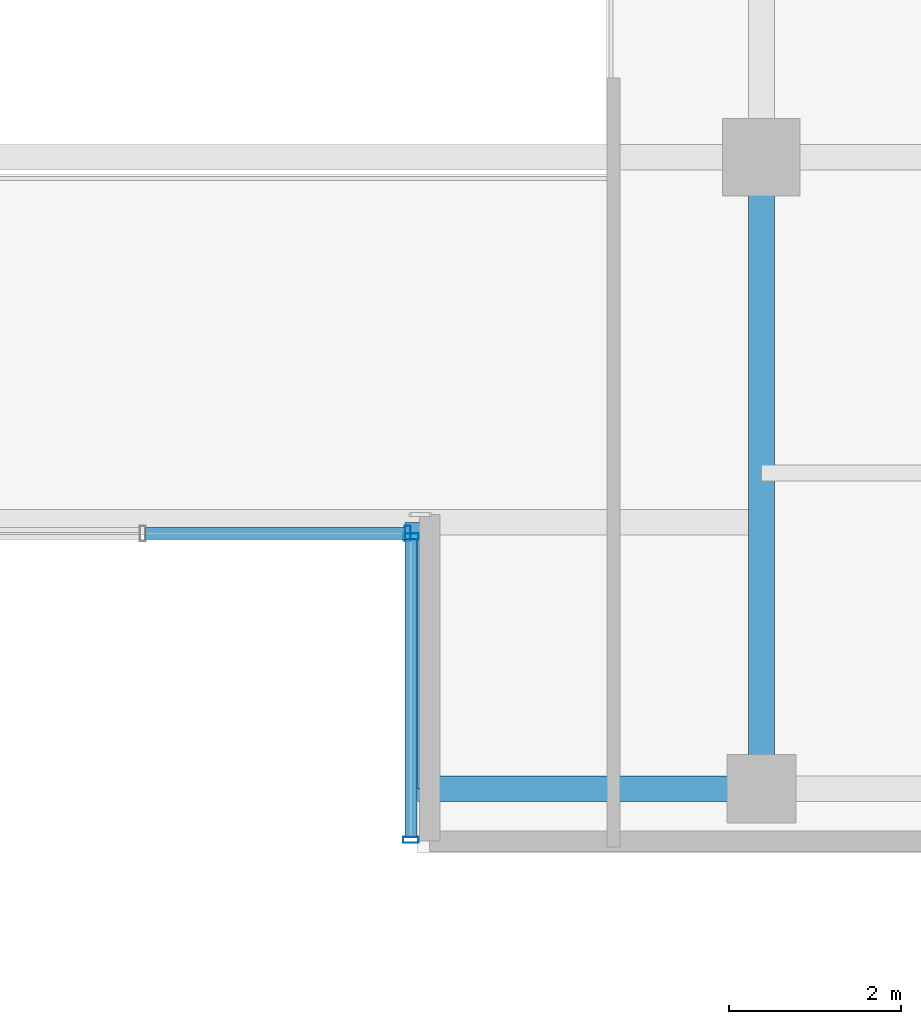
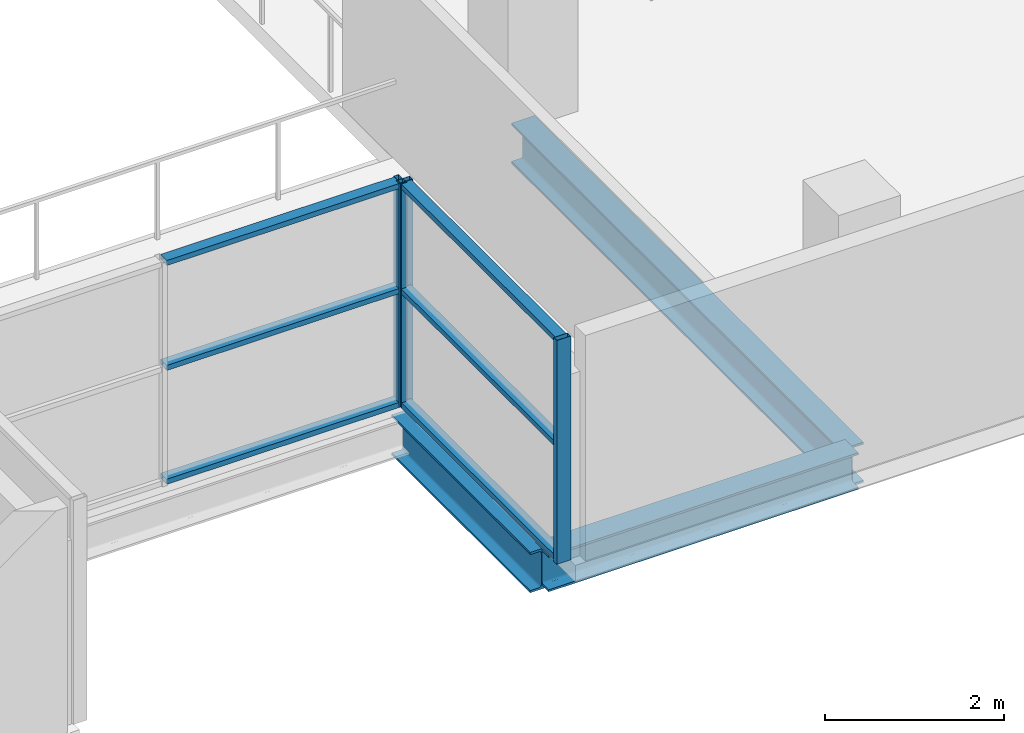
# One storey, part 10 of 27: 9 members, 3 beams, 2 elements without a shape of their own.
"""IFC4 building model written with IfcOpenShell, lengths in metres."""

from ifc_helpers import new_model, si_unit, direction, frame, origin, origin_2d, place, context, subcontext, project, spatial, hollow_rectangle, i_section, extrude, source, transform, mapped, material, layer, layer_set, material_profile, profile_set, type_object, element, aggregate, save


model = new_model("IFC4")

# Units and contexts
model_context = context("Model", 3, precision=1e-05, world=origin(), true_north=direction((0.0, 1.0)))
body_context = subcontext(model_context, "Body", "Model", "MODEL_VIEW")
ifc_project = project(units=[si_unit("LENGTHUNIT", "METRE"), si_unit("AREAUNIT", "SQUARE_METRE"), si_unit("VOLUMEUNIT", "CUBIC_METRE"), si_unit("PLANEANGLEUNIT", "RADIAN"), si_unit("MASSUNIT", "GRAM", prefix="KILO")], contexts=[model_context])

# Site, building, storey
site_placement = place(None, origin())
site = spatial("IfcSite", under=ifc_project, at=site_placement, CompositionType="ELEMENT")
building_placement = place(site_placement, origin())
building = spatial("IfcBuilding", under=site, at=building_placement, Name="Zarnakvel Exchange Tower", CompositionType="ELEMENT")
storey_placement = place(building_placement, frame((0.0, 0.0, 96.699951171875)))
storey = spatial("IfcBuildingStorey", under=building, at=storey_placement, Name="L26", CompositionType="ELEMENT", Elevation=96.699951171875)

# Beams
ifc_material_1 = material(Name="Steel S355", Category="steel")
ifc_material_profile_1 = material_profile(ifc_material_1, i_section(OverallWidth=0.300048828125, OverallDepth=0.550048828125, WebThickness=0.014892578125, FlangeThickness=0.029052734375, FilletRadius=0.027099609375, at=origin_2d()))
ifc_profile_set_1 = profile_set([ifc_material_profile_1], Name="Steel S355")
beam_type_1 = type_object("IfcBeamType", Name="G-05", PredefinedType="BEAM", material=ifc_profile_set_1)
beam_1_placement = place(storey_placement, frame((3.199951171875, -16.949951171875, -0.5), z_axis=(0.0, 1.0, 0.0), x_axis=(-1.0, 0.0, 0.0)))
element("IfcBeam", 1, at=beam_1_placement, inside=storey, type_object=beam_type_1, Name="L26 South Slot East Cheek Beam", PredefinedType="BEAM", context=body_context, shape_type="SweptSolid", body=[
    extrude(i_section(OverallWidth=0.300048828125, OverallDepth=0.550048828125, WebThickness=0.014892578125, FlangeThickness=0.029052734375, FilletRadius=0.027099609375, at=origin_2d()), origin(), (0.0, 0.0, 1.0), 3.099853515625),
])
beam_2_placement = place(storey_placement, frame((7.199951171875, -16.949951171875, -0.5), z_axis=(0.0, 1.0, 0.0), x_axis=(-1.0, 0.0, 0.0)))
element("IfcBeam", 2, at=beam_2_placement, inside=storey, type_object=beam_type_1, Name="L26 Tower N-S Frame Beam", PredefinedType="BEAM", context=body_context, shape_type="SweptSolid", body=[
    extrude(i_section(OverallWidth=0.300048828125, OverallDepth=0.550048828125, WebThickness=0.014892578125, FlangeThickness=0.029052734375, FilletRadius=0.027099609375, at=origin_2d()), origin(), (0.0, 0.0, 1.0), 7.349853515625),
])
ifc_material_profile_2 = material_profile(ifc_material_1, i_section(OverallWidth=0.300048828125, OverallDepth=0.5, WebThickness=0.014404296875, FlangeThickness=0.028076171875, FilletRadius=0.027099609375, at=origin_2d()))
ifc_profile_set_2 = profile_set([ifc_material_profile_2], Name="Steel S355")
beam_type_2 = type_object("IfcBeamType", Name="SP-02", PredefinedType="SPANDREL", material=ifc_profile_set_2)
beam_3_placement = place(storey_placement, frame((3.199951171875, -16.949951171875, -0.474853515625), z_axis=(1.0, 0.0, 0.0), x_axis=(0.0, 1.0, 0.0)))
element("IfcBeam", 3, at=beam_3_placement, inside=storey, type_object=beam_type_2, Name="L26 South Slot East Jamb Spandrel", PredefinedType="SPANDREL", context=body_context, shape_type="SweptSolid", body=[
    extrude(i_section(OverallWidth=0.300048828125, OverallDepth=0.5, WebThickness=0.014404296875, FlangeThickness=0.028076171875, FilletRadius=0.027099609375, at=origin_2d()), origin(), (0.0, 0.0, 1.0), 4.0),
])

# Curtain wall, members
ifc_material_2 = material(Name="Architectural Bronze Anodised Aluminium", Category="aluminium")
ifc_layer = layer(ifc_material_2, 0.179931640625)
ifc_layer_set = layer_set([ifc_layer], Name="Architectural Bronze Anodised Aluminium")
curtain_wall_type = type_object("IfcCurtainWallType", Name="CW-05", PredefinedType="NOTDEFINED", material=ifc_layer_set)
curtain_wall_1_placement = place(storey_placement, origin())
curtain_wall_1 = element("IfcCurtainWall", 4, at=curtain_wall_1_placement, inside=storey, type_object=curtain_wall_type, Name="L26 Curtain Wall CW-L26-SLE (CW-05)", PredefinedType="NOTDEFINED")
ifc_material_profile_3 = material_profile(ifc_material_2, hollow_rectangle(XDim=0.139892578125, YDim=0.070068359375, WallThickness=0.00390625, at=origin_2d()))
ifc_profile_set_3 = profile_set([ifc_material_profile_3], Name="Architectural Bronze Anodised Aluminium")
member_type_1 = type_object("IfcMemberType", Name="CWT-05", PredefinedType="USERDEFINED", material=ifc_profile_set_3)
shared_shape_1 = source(origin(), body_context, "Body", "SweptSolid", [
    extrude(hollow_rectangle(XDim=0.139892578125, YDim=0.070068359375, WallThickness=0.00390625, at=origin_2d()), origin(), (0.0, 0.0, 1.0), 3.4599609375),
])
member_1_placement = place(storey_placement, frame((3.1201171875, -14.050048828125, 0.03515625), z_axis=(0.0, -1.0, 0.0), x_axis=(1.0, 0.0, 0.0)))
member_1 = element("IfcMember", 5, at=member_1_placement, type_object=member_type_1, Name="CW-05 transom 1.1", ObjectType="TRANSOM", PredefinedType="USERDEFINED", context=body_context, shape_type="MappedRepresentation", body=[
    mapped(shared_shape_1, transform((0.0, 0.0, 0.0), x_axis=(1.0, 0.0, 0.0), y_axis=(0.0, 1.0, 0.0), z_axis=(0.0, 0.0, 1.0), scale=1.0)),
])
member_2_placement = place(storey_placement, frame((3.1201171875, -14.050048828125, 1.588623046875), z_axis=(0.0, -1.0, 0.0), x_axis=(1.0, 0.0, 0.0)))
member_2 = element("IfcMember", 6, at=member_2_placement, type_object=member_type_1, Name="CW-05 transom 1.2", ObjectType="TRANSOM", PredefinedType="USERDEFINED", context=body_context, shape_type="MappedRepresentation", body=[
    mapped(shared_shape_1, transform((0.0, 0.0, 0.0), x_axis=(1.0, 0.0, 0.0), y_axis=(0.0, 1.0, 0.0), z_axis=(0.0, 0.0, 1.0), scale=1.0)),
])
member_3_placement = place(storey_placement, frame((3.1201171875, -14.050048828125, 3.02001953125), z_axis=(0.0, -1.0, 0.0), x_axis=(1.0, 0.0, 0.0)))
member_3 = element("IfcMember", 7, at=member_3_placement, type_object=member_type_1, Name="CW-05 transom 1.3", ObjectType="TRANSOM", PredefinedType="USERDEFINED", context=body_context, shape_type="MappedRepresentation", body=[
    mapped(shared_shape_1, transform((0.0, 0.0, 0.0), x_axis=(1.0, 0.0, 0.0), y_axis=(0.0, 1.0, 0.0), z_axis=(0.0, 0.0, 1.0), scale=1.0)),
])

curtain_wall_2_placement = place(storey_placement, origin())
curtain_wall_2 = element("IfcCurtainWall", 8, at=curtain_wall_2_placement, inside=storey, type_object=curtain_wall_type, Name="L26 Curtain Wall CW-L26-SLB (CW-05)", PredefinedType="NOTDEFINED")
shared_shape_2 = source(origin(), body_context, "Body", "SweptSolid", [
    extrude(hollow_rectangle(XDim=0.139892578125, YDim=0.070068359375, WallThickness=0.00390625, at=origin_2d()), origin(), (0.0, 0.0, 1.0), 3.01513671875),
])
member_4_placement = place(storey_placement, frame((0.034912109375, -13.97998046875, 0.03515625), z_axis=(1.0, 0.0, 0.0), x_axis=(0.0, 1.0, 0.0)))
member_4 = element("IfcMember", 9, at=member_4_placement, type_object=member_type_1, Name="CW-05 transom 2.1", ObjectType="TRANSOM", PredefinedType="USERDEFINED", context=body_context, shape_type="MappedRepresentation", body=[
    mapped(shared_shape_2, transform((0.0, 0.0, 0.0), x_axis=(1.0, 0.0, 0.0), y_axis=(0.0, 1.0, 0.0), z_axis=(0.0, 0.0, 1.0), scale=1.0)),
])
member_5_placement = place(storey_placement, frame((0.034912109375, -13.97998046875, 1.588623046875), z_axis=(1.0, 0.0, 0.0), x_axis=(0.0, 1.0, 0.0)))
member_5 = element("IfcMember", 10, at=member_5_placement, type_object=member_type_1, Name="CW-05 transom 2.2", ObjectType="TRANSOM", PredefinedType="USERDEFINED", context=body_context, shape_type="MappedRepresentation", body=[
    mapped(shared_shape_2, transform((0.0, 0.0, 0.0), x_axis=(1.0, 0.0, 0.0), y_axis=(0.0, 1.0, 0.0), z_axis=(0.0, 0.0, 1.0), scale=1.0)),
])
member_6_placement = place(storey_placement, frame((0.034912109375, -13.97998046875, 3.02001953125), z_axis=(1.0, 0.0, 0.0), x_axis=(0.0, 1.0, 0.0)))
member_6 = element("IfcMember", 11, at=member_6_placement, type_object=member_type_1, Name="CW-05 transom 2.3", ObjectType="TRANSOM", PredefinedType="USERDEFINED", context=body_context, shape_type="MappedRepresentation", body=[
    mapped(shared_shape_2, transform((0.0, 0.0, 0.0), x_axis=(1.0, 0.0, 0.0), y_axis=(0.0, 1.0, 0.0), z_axis=(0.0, 0.0, 1.0), scale=1.0)),
])
ifc_material_profile_4 = material_profile(ifc_material_2, hollow_rectangle(XDim=0.179931640625, YDim=0.070068359375, WallThickness=0.00390625, at=origin_2d()))
ifc_profile_set_4 = profile_set([ifc_material_profile_4], Name="Architectural Bronze Anodised Aluminium")
member_type_2 = type_object("IfcMemberType", Name="CWM-05", PredefinedType="MULLION", material=ifc_profile_set_4)
shared_shape_3 = source(origin(), body_context, "Body", "SweptSolid", [
    extrude(hollow_rectangle(XDim=0.179931640625, YDim=0.070068359375, WallThickness=0.00390625, at=origin_2d()), origin(), (0.0, 0.0, 1.0), 3.054931640625),
])
member_7_placement = place(storey_placement, frame((3.0849609375, -13.97998046875, 0.0), z_axis=(0.0, 0.0, 1.0), x_axis=(0.0, 1.0, 0.0)))
member_7 = element("IfcMember", 12, at=member_7_placement, type_object=member_type_2, Name="CW-05 mullion 3", PredefinedType="MULLION", context=body_context, shape_type="MappedRepresentation", body=[
    mapped(shared_shape_3, transform((0.0, 0.0, 0.0), x_axis=(1.0, 0.0, 0.0), y_axis=(0.0, 1.0, 0.0), z_axis=(0.0, 0.0, 1.0), scale=1.0)),
])
aggregate(curtain_wall_2, [member_7, member_4, member_5, member_6])

# Member
member_8_placement = place(storey_placement, frame((3.1201171875, -14.014892578125, 0.0), z_axis=(0.0, 0.0, 1.0), x_axis=(1.0, 0.0, 0.0)))
member_8 = element("IfcMember", 13, at=member_8_placement, type_object=member_type_2, Name="CW-05 mullion 1", PredefinedType="MULLION", context=body_context, shape_type="MappedRepresentation", body=[
    mapped(shared_shape_3, transform((0.0, 0.0, 0.0), x_axis=(1.0, 0.0, 0.0), y_axis=(0.0, 1.0, 0.0), z_axis=(0.0, 0.0, 1.0), scale=1.0)),
])

member_9_placement = place(storey_placement, frame((3.1201171875, -17.544921875, 0.0), z_axis=(0.0, 0.0, 1.0), x_axis=(1.0, 0.0, 0.0)))
member_9 = element("IfcMember", 14, at=member_9_placement, type_object=member_type_2, Name="CW-05 mullion 2", PredefinedType="MULLION", context=body_context, shape_type="MappedRepresentation", body=[
    mapped(shared_shape_3, transform((0.0, 0.0, 0.0), x_axis=(1.0, 0.0, 0.0), y_axis=(0.0, 1.0, 0.0), z_axis=(0.0, 0.0, 1.0), scale=1.0)),
])

aggregate(curtain_wall_1, [member_8, member_9, member_1, member_2, member_3])

save(model, "model.ifc")
